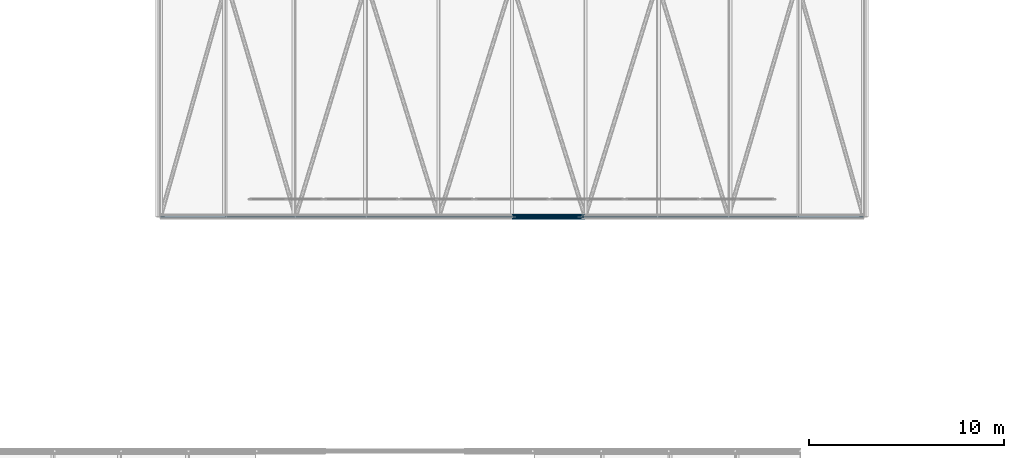
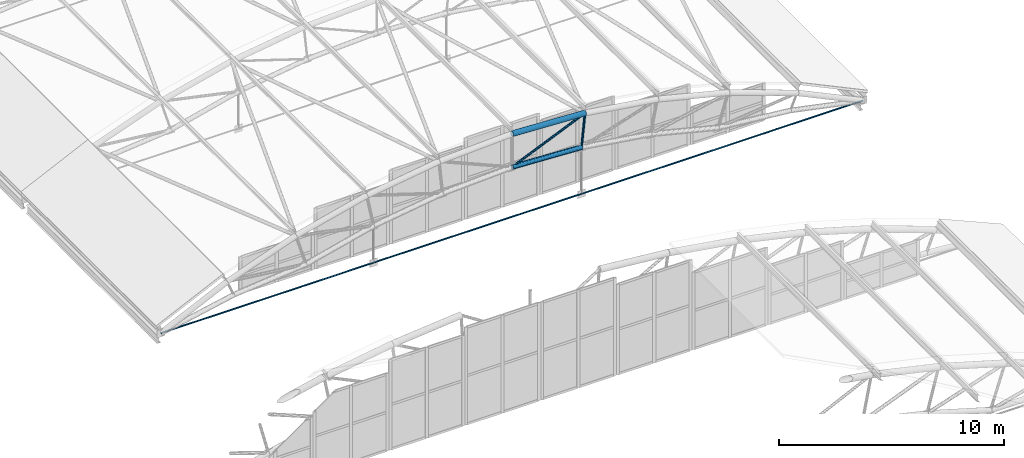
# One storey, part 145 of 321: 5 members.
"""IFC4 building model written with IfcOpenShell, lengths in metres."""

from ifc_helpers import new_model, si_unit, direction, frame, origin, origin_2d, place, context, subcontext, project, spatial, circle, hollow_circle, extrude, material, material_profile, profile_set, type_object, element, save


model = new_model("IFC4")

# Units and contexts
model_context = context("Model", 3, precision=1e-05, world=origin(), true_north=direction((0.0, 1.0)))
body_context = subcontext(model_context, "Body", "Model", "MODEL_VIEW")
ifc_project = project(units=[si_unit("LENGTHUNIT", "METRE"), si_unit("AREAUNIT", "SQUARE_METRE"), si_unit("VOLUMEUNIT", "CUBIC_METRE"), si_unit("PLANEANGLEUNIT", "RADIAN"), si_unit("MASSUNIT", "GRAM", prefix="KILO")], contexts=[model_context])

# Site, building, storey
site_placement = place(None, origin())
site = spatial("IfcSite", under=ifc_project, at=site_placement, CompositionType="ELEMENT")
building_placement = place(site_placement, origin())
building = spatial("IfcBuilding", under=site, at=building_placement, Name="Ravi Spectrum Wholesale Market", CompositionType="ELEMENT")
storey_placement = place(building_placement, frame((0.0, 0.0, 10.800048828125)))
storey = spatial("IfcBuildingStorey", under=building, at=storey_placement, Name="L02", CompositionType="ELEMENT", Elevation=10.800048828125)

# Members
ifc_material_1 = material(Name="Steel S355", Category="steel")
ifc_material_profile_1 = material_profile(ifc_material_1, hollow_circle(Radius=0.05712890625, WallThickness=0.00390625, at=origin_2d()))
ifc_profile_set_1 = profile_set([ifc_material_profile_1], Name="Steel S355")
member_type_1 = type_object("IfcMemberType", Name="CHS 114.3x4 brace", PredefinedType="BRACE", material=ifc_profile_set_1)
member_1_placement = place(storey_placement, frame((183.7421875, 138.0, 4.31640625), z_axis=(-0.918016770488, 0.0, -0.396541560373), x_axis=(0.0, -1.0, 0.0)))
element("IfcMember", 1, at=member_1_placement, inside=storey, type_object=member_type_1, Name="H3-MB-L02-034", PredefinedType="BRACE", context=body_context, shape_type="SweptSolid", body=[
    extrude(hollow_circle(Radius=0.05712890625, WallThickness=0.00390625, at=origin_2d()), origin(), (0.0, 0.0, 1.0), 4.076416015625),
])
ifc_material_2 = material(Name="Steel S355", Category="steel")
ifc_material_profile_2 = material_profile(ifc_material_2, hollow_circle(Radius=0.05712890625, WallThickness=0.00390625, at=origin_2d()))
ifc_profile_set_2 = profile_set([ifc_material_profile_2], Name="Steel S355")
member_type_2 = type_object("IfcMemberType", Name="CHS 114.3x4 post", PredefinedType="POST", material=ifc_profile_set_2)
member_2_placement = place(storey_placement, frame((183.7421875, 138.0, 4.31640625), z_axis=(-0.097797973815, 0.0, -0.995206288323), x_axis=(0.0, -1.0, 0.0)))
element("IfcMember", 2, at=member_2_placement, inside=storey, type_object=member_type_2, Name="H3-MB-L02-026", PredefinedType="POST", context=body_context, shape_type="SweptSolid", body=[
    extrude(hollow_circle(Radius=0.05712890625, WallThickness=0.00390625, at=origin_2d()), origin(), (0.0, 0.0, 1.0), 1.7998046875),
])
ifc_material_3 = material(Name="Steel S355", Category="steel")
ifc_material_profile_3 = material_profile(ifc_material_3, hollow_circle(Radius=0.122314453125, WallThickness=0.008056640625, at=origin_2d()))
ifc_profile_set_3 = profile_set([ifc_material_profile_3], Name="Steel S355")
member_type_3 = type_object("IfcMemberType", Name="CHS 244.5x8 chord", PredefinedType="CHORD", material=ifc_profile_set_3)
member_3_placement = place(storey_placement, frame((180.0, 138.0, 2.699951171875), z_axis=(0.998800798306, 0.0, -0.048958812322), x_axis=(0.0, 1.0, 0.0)))
element("IfcMember", 3, at=member_3_placement, inside=storey, type_object=member_type_3, Name="H3-MB-L02-016", PredefinedType="CHORD", context=body_context, shape_type="SweptSolid", body=[
    extrude(hollow_circle(Radius=0.122314453125, WallThickness=0.008056640625, at=origin_2d()), origin(), (0.0, 0.0, 1.0), 3.570556640625),
])
ifc_material_4 = material(Name="Steel S355", Category="steel")
ifc_material_profile_4 = material_profile(ifc_material_4, hollow_circle(Radius=0.136474609375, WallThickness=0.010009765625, at=origin_2d()))
ifc_profile_set_4 = profile_set([ifc_material_profile_4], Name="Steel S355")
member_type_4 = type_object("IfcMemberType", Name="CHS 273x10 chord", PredefinedType="CHORD", material=ifc_profile_set_4)
member_4_placement = place(storey_placement, frame((180.0, 138.0, 4.5), z_axis=(0.998798699726, 0.0, -0.049001606354), x_axis=(0.0, 1.0, 0.0)))
element("IfcMember", 4, at=member_4_placement, inside=storey, type_object=member_type_4, Name="H3-MB-L02-006", PredefinedType="CHORD", context=body_context, shape_type="SweptSolid", body=[
    extrude(hollow_circle(Radius=0.136474609375, WallThickness=0.010009765625, at=origin_2d()), origin(), (0.0, 0.0, 1.0), 3.74658203125),
])
ifc_material_5 = material(Name="Steel S460", Category="steel")
ifc_material_profile_5 = material_profile(ifc_material_5, circle(Radius=0.030029296875, at=origin_2d()))
ifc_profile_set_5 = profile_set([ifc_material_profile_5], Name="Steel S460")
member_type_5 = type_object("IfcMemberType", Name="ROD 60 tie", PredefinedType="BRACE", material=ifc_profile_set_5)
member_5_placement = place(storey_placement, frame((162.0, 138.0, 0.0), z_axis=(1.0, 0.0, 0.0), x_axis=(0.0, 1.0, 0.0)))
element("IfcMember", 5, at=member_5_placement, inside=storey, type_object=member_type_5, Name="H3-MB-L02-038", PredefinedType="BRACE", context=body_context, shape_type="SweptSolid", body=[
    extrude(circle(Radius=0.030029296875, at=origin_2d()), origin(), (0.0, 0.0, 1.0), 36.0),
])

save(model, "model.ifc")
